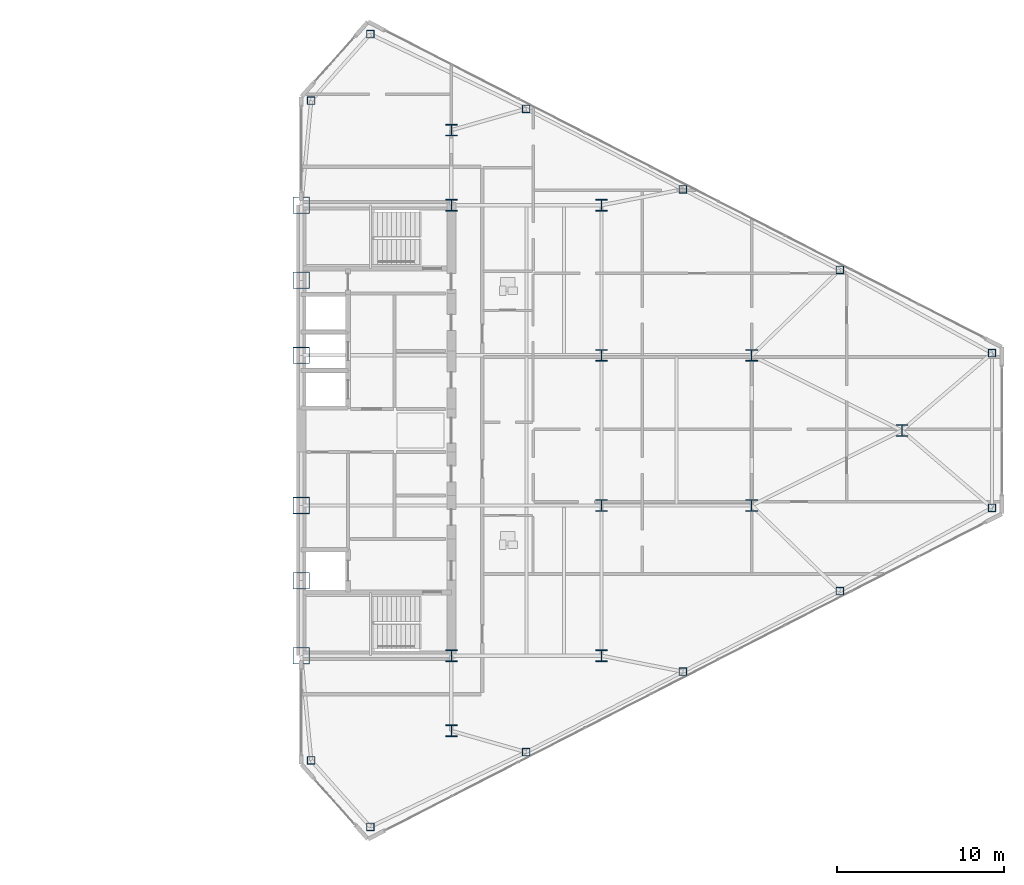
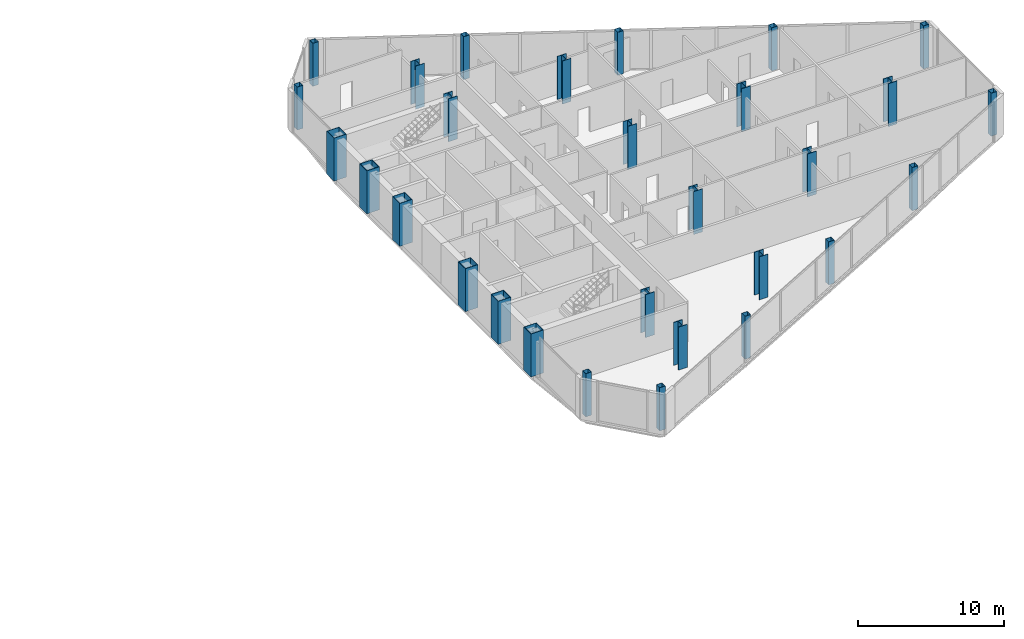
# One storey, part 2 of 22: 29 columns.
"""IFC4 building model written with IfcOpenShell, lengths in metres."""

from ifc_helpers import new_model, si_unit, direction, frame, origin, origin_2d, place, context, subcontext, project, spatial, hollow_rectangle, i_section, extrude, source, transform, mapped, material, material_profile, profile_set, type_object, type_shapes, element, save


model = new_model("IFC4")

# Units and contexts
model_context = context("Model", 3, precision=1e-05, world=origin(), true_north=direction((0.0, 1.0)))
body_context = subcontext(model_context, "Body", "Model", "MODEL_VIEW")
ifc_project = project(units=[si_unit("LENGTHUNIT", "METRE"), si_unit("AREAUNIT", "SQUARE_METRE"), si_unit("VOLUMEUNIT", "CUBIC_METRE"), si_unit("PLANEANGLEUNIT", "RADIAN"), si_unit("MASSUNIT", "GRAM", prefix="KILO")], contexts=[model_context])

# Site, building, storey
site_placement = place(None, origin())
site = spatial("IfcSite", under=ifc_project, at=site_placement, CompositionType="ELEMENT")
building_placement = place(site_placement, origin())
building = spatial("IfcBuilding", under=site, at=building_placement, Name="Seokmaru Belvedere", CompositionType="ELEMENT")
storey_placement = place(building_placement, frame((0.0, 0.0, 151.199951171875)))
storey = spatial("IfcBuildingStorey", under=building, at=storey_placement, Name="L40", CompositionType="ELEMENT", Elevation=151.199951171875)

# Columns
ifc_material_1 = material(Name="Steel HSA650 (650 MPa)", Category="steel")
ifc_material_profile_1 = material_profile(ifc_material_1, hollow_rectangle(XDim=1.0, YDim=1.0, WallThickness=0.0419921875, at=origin_2d()), Name="BOX-1000x1000x42")
ifc_profile_set_1 = profile_set([ifc_material_profile_1], Name="Steel HSA650 (650 MPa)")
column_type_1 = type_object("IfcColumnType", Name="Portal Spine Column BOX-1000", PredefinedType="COLUMN", material=ifc_profile_set_1)
shared_shape_1 = source(origin(), body_context, "Body", "SweptSolid", [
    extrude(hollow_rectangle(XDim=1.0, YDim=1.0, WallThickness=0.0419921875, at=origin_2d()), origin(), (0.0, 0.0, 1.0), 3.60009765625),
])
type_shapes(column_type_1, [shared_shape_1])
for number, where, z_axis, x_axis, name in (
    (1, (27.5, -13.5, 0.0), (0.0, 0.0, 1.0), (1.0, 0.0, 0.0), "L40 Column ES1"),
    (2, (27.5, -9.0, 0.0), (0.0, 0.0, 1.0), (1.0, 0.0, 0.0), "L40 Column ES2"),
    (3, (27.5, -4.5, 0.0), (0.0, 0.0, 1.0), (1.0, 0.0, 0.0), "L40 Column ES3"),
    (4, (27.5, 4.5, 0.0), (0.0, 0.0, 1.0), (1.0, 0.0, 0.0), "L40 Column ES4"),
    (5, (27.5, 9.0, 0.0), (0.0, 0.0, 1.0), (1.0, 0.0, 0.0), "L40 Column ES5"),
    (6, (27.5, 13.5, 0.0), (0.0, 0.0, 1.0), (1.0, 0.0, 0.0), "L40 Column ES6"),
):
    element("IfcColumn", number, at=place(storey_placement, frame(where, z_axis=z_axis, x_axis=x_axis)), inside=storey, type_object=column_type_1, Name=name, PredefinedType="COLUMN", context=body_context, shape_type="MappedRepresentation", body=[
        mapped(shared_shape_1, transform((0.0, 0.0, 0.0), scale=1.0)),
    ])
ifc_material_2 = material(Name="Steel SM355 (355 MPa)", Category="steel")
ifc_material_profile_2 = material_profile(ifc_material_2, i_section(OverallWidth=0.699951171875, OverallDepth=0.699951171875, WebThickness=0.028076171875, FlangeThickness=0.044921875, at=origin_2d()), Name="H-700x700x28x45")
ifc_profile_set_2 = profile_set([ifc_material_profile_2], Name="Steel SM355 (355 MPa)")
column_type_2 = type_object("IfcColumnType", Name="Mid Interior Column H-700", PredefinedType="COLUMN", material=ifc_profile_set_2)
shared_shape_2 = source(origin(), body_context, "Body", "SweptSolid", [
    extrude(i_section(OverallWidth=0.699951171875, OverallDepth=0.699951171875, WebThickness=0.028076171875, FlangeThickness=0.044921875, at=origin_2d()), origin(), (0.0, 0.0, 1.0), 3.60009765625),
])
type_shapes(column_type_2, [shared_shape_2])
for number, where, z_axis, x_axis, name in (
    (7, (36.5, -18.0, 0.0), (0.0, 0.0, 1.0), (1.0, 0.0, 0.0), "L40 Column EC1"),
    (8, (36.5, -13.5, 0.0), (0.0, 0.0, 1.0), (1.0, 0.0, 0.0), "L40 Column EC2"),
    (9, (36.5, 13.5, 0.0), (0.0, 0.0, 1.0), (1.0, 0.0, 0.0), "L40 Column EC3"),
    (10, (36.5, 18.0, 0.0), (0.0, 0.0, 1.0), (1.0, 0.0, 0.0), "L40 Column EC4"),
    (11, (45.5, -13.5, 0.0), (0.0, 0.0, 1.0), (1.0, 0.0, 0.0), "L40 Column EG5_1"),
    (12, (45.5, -4.5, 0.0), (0.0, 0.0, 1.0), (1.0, 0.0, 0.0), "L40 Column EG5_2"),
    (13, (45.5, 4.5, 0.0), (0.0, 0.0, 1.0), (1.0, 0.0, 0.0), "L40 Column EG5_3"),
    (14, (45.5, 13.5, 0.0), (0.0, 0.0, 1.0), (1.0, 0.0, 0.0), "L40 Column EG5_4"),
    (15, (54.5, -4.5, 0.0), (0.0, 0.0, 1.0), (1.0, 0.0, 0.0), "L40 Column EG4P_1"),
    (16, (54.5, 4.5, 0.0), (0.0, 0.0, 1.0), (1.0, 0.0, 0.0), "L40 Column EG4P_2"),
    (17, (63.5, 0.0, 0.0), (0.0, 0.0, 1.0), (1.0, 0.0, 0.0), "L40 Column EG3P_1"),
):
    element("IfcColumn", number, at=place(storey_placement, frame(where, z_axis=z_axis, x_axis=x_axis)), inside=storey, type_object=column_type_2, Name=name, PredefinedType="COLUMN", context=body_context, shape_type="MappedRepresentation", body=[
        mapped(shared_shape_2, transform((0.0, 0.0, 0.0), scale=1.0)),
    ])
ifc_material_profile_3 = material_profile(ifc_material_2, hollow_rectangle(XDim=0.449951171875, YDim=0.449951171875, WallThickness=0.01806640625, at=origin_2d()), Name="HSS-450x450x18")
ifc_profile_set_3 = profile_set([ifc_material_profile_3], Name="Steel SM355 (355 MPa)")
column_type_3 = type_object("IfcColumnType", Name="Perimeter Facet Column HSS-450", PredefinedType="COLUMN", material=ifc_profile_set_3)
shared_shape_3 = source(origin(), body_context, "Body", "SweptSolid", [
    extrude(hollow_rectangle(XDim=0.449951171875, YDim=0.449951171875, WallThickness=0.01806640625, at=origin_2d()), origin(), (0.0, 0.0, 1.0), 3.60009765625),
])
type_shapes(column_type_3, [shared_shape_3])
for number, where, z_axis, x_axis, name in (
    (18, (31.6396484375, -23.75390625, 0.0), (0.0, 0.0, 1.0), (1.0, 0.0, 0.0), "L40 Column EF1"),
    (19, (68.89990234375, -4.633544921875, 0.0), (0.0, 0.0, 1.0), (1.0, 0.0, 0.0), "L40 Column EF2"),
    (20, (68.89990234375, 4.633544921875, 0.0), (0.0, 0.0, 1.0), (1.0, 0.0, 0.0), "L40 Column EF3"),
    (21, (31.6396484375, 23.75390625, 0.0), (0.0, 0.0, 1.0), (1.0, 0.0, 0.0), "L40 Column EF4"),
    (22, (28.10009765625, 19.77197265625, 0.0), (0.0, 0.0, 1.0), (1.0, 0.0, 0.0), "L40 Column EF5"),
    (23, (28.10009765625, -19.77197265625, 0.0), (0.0, 0.0, 1.0), (1.0, 0.0, 0.0), "L40 Column EF6"),
    (24, (40.975830078125, -19.277587890625, 0.0), (0.0, 0.0, 1.0), (1.0, 0.0, 0.0), "L40 Column EFLK_S1"),
    (25, (50.377197265625, -14.453369140625, 0.0), (0.0, 0.0, 1.0), (1.0, 0.0, 0.0), "L40 Column EFLK_S2"),
    (26, (59.778564453125, -9.62890625, 0.0), (0.0, 0.0, 1.0), (1.0, 0.0, 0.0), "L40 Column EFLK_S3"),
    (27, (40.975830078125, 19.277587890625, 0.0), (0.0, 0.0, 1.0), (1.0, 0.0, 0.0), "L40 Column EFLK_N1"),
    (28, (50.377197265625, 14.453369140625, 0.0), (0.0, 0.0, 1.0), (1.0, 0.0, 0.0), "L40 Column EFLK_N2"),
    (29, (59.778564453125, 9.62890625, 0.0), (0.0, 0.0, 1.0), (1.0, 0.0, 0.0), "L40 Column EFLK_N3"),
):
    element("IfcColumn", number, at=place(storey_placement, frame(where, z_axis=z_axis, x_axis=x_axis)), inside=storey, type_object=column_type_3, Name=name, PredefinedType="COLUMN", context=body_context, shape_type="MappedRepresentation", body=[
        mapped(shared_shape_3, transform((0.0, 0.0, 0.0), scale=1.0)),
    ])

save(model, "model.ifc")
